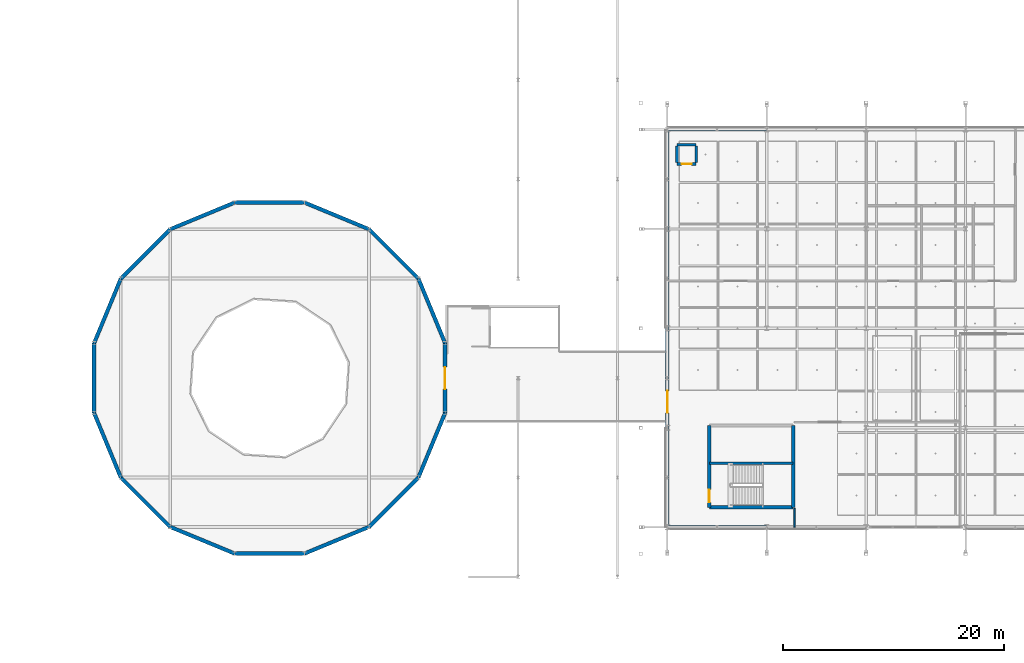
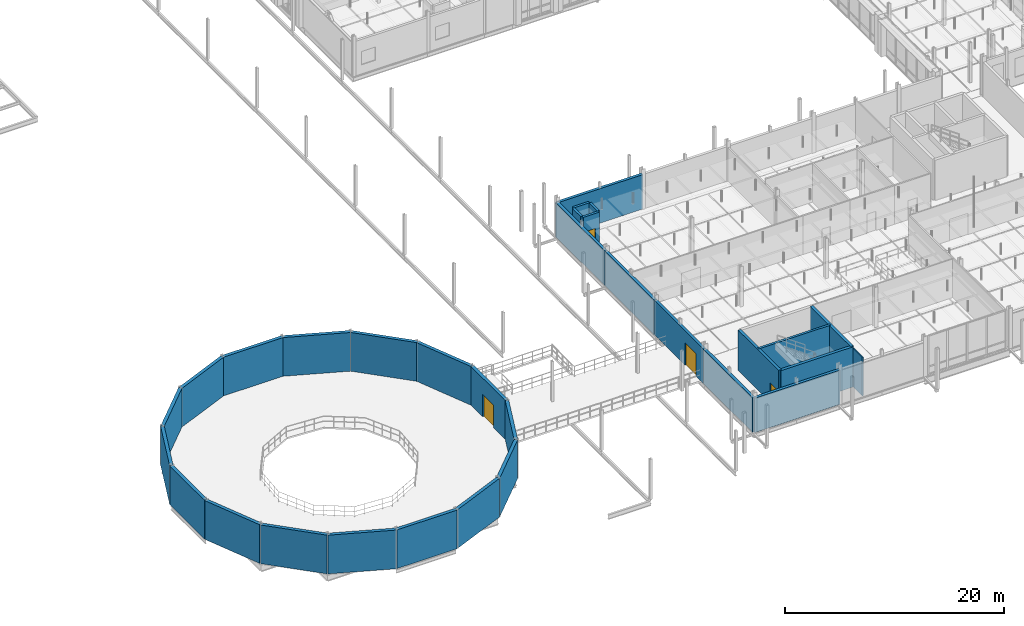
# One storey, part 68 of 130: 31 walls, 4 doors, 4 openings.
"""IFC4 building model written with IfcOpenShell, lengths in metres."""

from ifc_helpers import new_model, si_unit, direction, frame, frame_2d, origin, place, context, subcontext, project, spatial, rectangle, extrude, material, layer, layer_set, type_object, element, fill, save


model = new_model("IFC4")

# Units and contexts
model_context = context("Model", 3, precision=1e-05, world=origin(), true_north=direction((0.0, 1.0)))
body_context = subcontext(model_context, "Body", "Model", "MODEL_VIEW")
ifc_project = project(units=[si_unit("LENGTHUNIT", "METRE"), si_unit("AREAUNIT", "SQUARE_METRE"), si_unit("VOLUMEUNIT", "CUBIC_METRE"), si_unit("PLANEANGLEUNIT", "RADIAN"), si_unit("MASSUNIT", "GRAM", prefix="KILO"), si_unit("THERMODYNAMICTEMPERATUREUNIT", "KELVIN"), si_unit("POWERUNIT", "WATT")], contexts=[model_context])

# Site, building, storey
site_placement = place(None, origin())
site = spatial("IfcSite", under=ifc_project, at=site_placement, CompositionType="ELEMENT")
building_placement = place(site_placement, origin())
building = spatial("IfcBuilding", under=site, at=building_placement, Name="Tallowbark Science Centre", CompositionType="ELEMENT")
storey_placement = place(building_placement, frame((0.0, 0.0, 5.39990234375)))
storey = spatial("IfcBuildingStorey", under=building, at=storey_placement, Name="L01", CompositionType="ELEMENT", Elevation=5.39990234375)

# Wall, opening, door
ifc_material_1 = material(Name="Spotted Gum Glulam and Mineral-Wool Rainscreen Assembly", Category="wood")
ifc_layer_1 = layer(ifc_material_1, 0.280029296875)
ifc_layer_set_1 = layer_set([ifc_layer_1], Name="Spotted Gum Glulam and Mineral-Wool Rainscreen Assembly")
wall_type_1 = type_object("IfcWallType", Name="EWL-TIM-280", PredefinedType="STANDARD", material=ifc_layer_set_1)
wall_1_placement = place(storey_placement, frame((58.5, 22.5, 0.0), z_axis=(0.0, 0.0, 1.0), x_axis=(0.0, -1.0, 0.0)))
wall_1 = element("IfcWall", 1, at=wall_1_placement, inside=storey, type_object=wall_type_1, Name="Exterior Wall CUB-W-L01-1", PredefinedType="STANDARD", context=body_context, shape_type="SweptSolid", body=[
    extrude(rectangle(XDim=9.0, YDim=0.280029296875, at=frame_2d((4.5, 0.0))), origin(), (0.0, 0.0, 1.0), 3.84619140625),
])
opening_1_placement = place(wall_1_placement, frame((5.64990234375, 0.0, 0.0)))
opening_1 = element("IfcOpeningElement", 2, at=opening_1_placement, cuts=wall_1, Name="Opening ED-02", PredefinedType="OPENING", context=body_context, shape_type="SweptSolid", body=[
    extrude(rectangle(XDim=2.0, YDim=2.5, at=frame_2d((1.0, 1.25))), frame((0.0, 0.14990234375, 0.0), z_axis=(0.0, -1.0, 0.0), x_axis=(1.0, 0.0, 0.0)), (0.0, 0.0, 1.0), 0.300048828125),
])
ifc_material_2 = material(Name="Thermally Broken Glazed Aluminium Frame", Category="aluminium")
door_type_1 = type_object("IfcDoorType", Name="EDR-GLZ-200", OperationType="DOUBLE_DOOR_SINGLE_SWING", PredefinedType="DOOR", material=ifc_material_2)
door_1_placement = place(opening_1_placement, origin())
door_1 = element("IfcDoor", 3, at=door_1_placement, inside=storey, type_object=door_type_1, Name="Exterior Door EDR-L01-011", OperationType="DOUBLE_DOOR_SINGLE_SWING", OverallHeight=2.5, OverallWidth=2.0, PredefinedType="DOOR", context=body_context, shape_type="SweptSolid", body=[
    extrude(rectangle(XDim=2.0, YDim=2.5, at=frame_2d((1.0, 1.25))), frame((0.0, 0.02490234375, 0.0), z_axis=(0.0, -1.0, 0.0), x_axis=(1.0, 0.0, 0.0)), (0.0, 0.0, 1.0), 0.050048828125),
])
fill(opening_1, door_1)

# Walls
ifc_material_3 = material(Name="Spotted Gum Acoustic Cassette Wall Assembly", Category="wood")
ifc_layer_2 = layer(ifc_material_3, 0.294921875)
ifc_layer_set_2 = layer_set([ifc_layer_2], Name="Spotted Gum Acoustic Cassette Wall Assembly")
wall_type_2 = type_object("IfcWallType", Name="EWL-TIM-295", PredefinedType="STANDARD", material=ifc_layer_set_2)
for number, where, z_axis, x_axis, name in (
    (4, (58.5, 4.5, 0.0), (0.0, 0.0, 1.0), (1.0, 0.0, 0.0), "Exterior Wall CUB-S-L01-0"),
    (5, (67.5, 40.5, 0.0), (0.0, 0.0, 1.0), (-1.0, 0.0, 0.0), "Exterior Wall CUB-N-L01-0"),
    (6, (58.5, 13.5, 0.0), (0.0, 0.0, 1.0), (0.0, -1.0, 0.0), "Exterior Wall CUB-W-L01-0"),
    (7, (58.5, 31.5, 0.0), (0.0, 0.0, 1.0), (0.0, -1.0, 0.0), "Exterior Wall CUB-W-L01-2"),
    (8, (58.5, 40.5, 0.0), (0.0, 0.0, 1.0), (0.0, -1.0, 0.0), "Exterior Wall CUB-W-L01-3"),
):
    element("IfcWall", number, at=place(storey_placement, frame(where, z_axis=z_axis, x_axis=x_axis)), inside=storey, type_object=wall_type_2, Name=name, PredefinedType="STANDARD", context=body_context, shape_type="SweptSolid", body=[
        extrude(rectangle(XDim=9.0, YDim=0.294921875, at=frame_2d((4.5, 0.0))), origin(), (0.0, 0.0, 1.0), 3.84619140625),
    ])
ifc_material_4 = material(Name="132 mm Acoustic Laboratory Steel Stud Partition", Category="steel")
ifc_layer_3 = layer(ifc_material_4, 0.132080078125)
ifc_layer_set_3 = layer_set([ifc_layer_3], Name="132 mm Acoustic Laboratory Steel Stud Partition")
wall_type_3 = type_object("IfcWallType", Name="PTW-132", PredefinedType="PARTITIONING", material=ifc_layer_set_3)
wall_2_placement = place(storey_placement, frame((70.0, 4.5, 0.0), z_axis=(0.0, 0.0, 1.0), x_axis=(0.0, 1.0, 0.0)))
element("IfcWall", 9, at=wall_2_placement, inside=storey, type_object=wall_type_3, Name="Interior Partition PTW-L01-0158", PredefinedType="PARTITIONING", context=body_context, shape_type="SweptSolid", body=[
    extrude(rectangle(XDim=1.699951171875, YDim=0.132080078125, at=frame_2d((0.85009765625, 0.0))), origin(), (0.0, 0.0, 1.0), 4.320068359375),
])

# Wall, opening, door
ifc_material_5 = material(Name="Concrete Grade N40 (40 MPa)", Category="concrete")
ifc_layer_4 = layer(ifc_material_5, 0.300048828125)
ifc_layer_set_4 = layer_set([ifc_layer_4], Name="Concrete Grade N40 (40 MPa)")
wall_type_4 = type_object("IfcWallType", Name="WL-CORE-300", PredefinedType="SHEAR", material=ifc_layer_set_4)
wall_3_placement = place(storey_placement, frame((62.300048828125, 6.300048828125, 0.0), z_axis=(0.0, 0.0, 1.0), x_axis=(0.0, 1.0, 0.0)))
wall_3 = element("IfcWall", 10, at=wall_3_placement, inside=storey, type_object=wall_type_4, Name="Core C7 Shear Wall L01 W", PredefinedType="SHEAR", context=body_context, shape_type="SweptSolid", body=[
    extrude(rectangle(XDim=7.39990234375, YDim=0.300048828125, at=frame_2d((3.699951171875, 0.0))), origin(), (0.0, 0.0, 1.0), 4.5),
])
opening_2_placement = place(wall_3_placement, frame((0.449951171875, 0.0, 0.0)))
opening_2 = element("IfcOpeningElement", 11, at=opening_2_placement, cuts=wall_3, Name="Opening FD-01", PredefinedType="OPENING", context=body_context, shape_type="SweptSolid", body=[
    extrude(rectangle(XDim=1.14990234375, YDim=2.14990234375, at=frame_2d((0.574951171875, 1.074951171875))), frame((0.0, 0.16015625, 0.0), z_axis=(0.0, -1.0, 0.0), x_axis=(1.0, 0.0, 0.0)), (0.0, 0.0, 1.0), 0.320068359375),
])
ifc_material_6 = material(Name="Fire-Rated Pressed Steel Frame and Solid Core Leaf", Category="steel")
door_type_2 = type_object("IfcDoorType", Name="FDR-STR-115", OperationType="NOTDEFINED", PredefinedType="DOOR", material=ifc_material_6)
door_2_placement = place(opening_2_placement, origin())
door_2 = element("IfcDoor", 12, at=door_2_placement, inside=storey, type_object=door_type_2, Name="Stair ST-07 Fire Door L01", OperationType="SINGLE_SWING_LEFT", OverallHeight=2.14990234375, OverallWidth=1.14990234375, PredefinedType="DOOR", context=body_context, shape_type="SweptSolid", body=[
    extrude(rectangle(XDim=1.14990234375, YDim=2.14990234375, at=frame_2d((0.574951171875, 1.074951171875))), frame((0.0, 0.02490234375, 0.0), z_axis=(0.0, -1.0, 0.0), x_axis=(1.0, 0.0, 0.0)), (0.0, 0.0, 1.0), 0.050048828125),
])
fill(opening_2, door_2)

# Walls
wall_4_placement = place(storey_placement, frame((69.89990234375, 6.300048828125, 0.0), z_axis=(0.0, 0.0, 1.0), x_axis=(0.0, 1.0, 0.0)))
element("IfcWall", 13, at=wall_4_placement, inside=storey, type_object=wall_type_4, Name="Core C7 Shear Wall L01 E", PredefinedType="SHEAR", context=body_context, shape_type="SweptSolid", body=[
    extrude(rectangle(XDim=7.39990234375, YDim=0.300048828125, at=frame_2d((3.699951171875, 0.0))), origin(), (0.0, 0.0, 1.0), 4.5),
])
wall_5_placement = place(storey_placement, frame((62.300048828125, 6.300048828125, 0.0), z_axis=(0.0, 0.0, 1.0), x_axis=(1.0, 0.0, 0.0)))
element("IfcWall", 14, at=wall_5_placement, inside=storey, type_object=wall_type_4, Name="Core C7 Shear Wall L01 S", PredefinedType="SHEAR", context=body_context, shape_type="SweptSolid", body=[
    extrude(rectangle(XDim=7.599853515625, YDim=0.300048828125, at=frame_2d((3.7998046875, 0.0))), origin(), (0.0, 0.0, 1.0), 4.5),
])
ifc_layer_5 = layer(ifc_material_5, 0.340087890625)
ifc_layer_set_5 = layer_set([ifc_layer_5], Name="Concrete Grade N40 (40 MPa)")
wall_type_5 = type_object("IfcWallType", Name="WL-DRUM-340", PredefinedType="SHEAR", material=ifc_layer_set_5)
wall_6_placement = place(storey_placement, frame((38.388671875, 21.160400390625, 0.0), z_axis=(0.0, 0.0, 1.0), x_axis=(-0.382683814393, 0.92387937427, 0.0)))
element("IfcWall", 15, at=wall_6_placement, inside=storey, type_object=wall_type_5, Name="Planetarium Drum Wall L01 Chord 1", PredefinedType="SHEAR", context=body_context, shape_type="SweptSolid", body=[
    extrude(rectangle(XDim=6.321044921875, YDim=0.340087890625, at=frame_2d((3.16064453125, 0.0))), origin(), (0.0, 0.0, 1.0), 4.320068359375),
])
wall_7_placement = place(storey_placement, frame((35.9697265625, 27.000244140625, 0.0), z_axis=(0.0, 0.0, 1.0), x_axis=(-0.707106781187, 0.707106781187, 0.0)))
element("IfcWall", 16, at=wall_7_placement, inside=storey, type_object=wall_type_5, Name="Planetarium Drum Wall L01 Chord 2", PredefinedType="SHEAR", context=body_context, shape_type="SweptSolid", body=[
    extrude(rectangle(XDim=6.32080078125, YDim=0.340087890625, at=frame_2d((3.160400390625, 0.0))), origin(), (0.0, 0.0, 1.0), 4.320068359375),
])
wall_8_placement = place(storey_placement, frame((31.500244140625, 31.4697265625, 0.0), z_axis=(0.0, 0.0, 1.0), x_axis=(-0.92387937427, 0.382683814393, 0.0)))
element("IfcWall", 17, at=wall_8_placement, inside=storey, type_object=wall_type_5, Name="Planetarium Drum Wall L01 Chord 3", PredefinedType="SHEAR", context=body_context, shape_type="SweptSolid", body=[
    extrude(rectangle(XDim=6.321044921875, YDim=0.340087890625, at=frame_2d((3.16064453125, 0.0))), origin(), (0.0, 0.0, 1.0), 4.320068359375),
])
wall_9_placement = place(storey_placement, frame((25.660400390625, 33.888671875, 0.0), z_axis=(0.0, 0.0, 1.0), x_axis=(-1.0, 0.0, 0.0)))
element("IfcWall", 18, at=wall_9_placement, inside=storey, type_object=wall_type_5, Name="Planetarium Drum Wall L01 Chord 4", PredefinedType="SHEAR", context=body_context, shape_type="SweptSolid", body=[
    extrude(rectangle(XDim=6.32080078125, YDim=0.340087890625, at=frame_2d((3.160400390625, 0.0))), origin(), (0.0, 0.0, 1.0), 4.320068359375),
])
wall_10_placement = place(storey_placement, frame((19.339599609375, 33.888671875, 0.0), z_axis=(0.0, 0.0, 1.0), x_axis=(-0.92387937427, -0.382683814393, 0.0)))
element("IfcWall", 19, at=wall_10_placement, inside=storey, type_object=wall_type_5, Name="Planetarium Drum Wall L01 Chord 5", PredefinedType="SHEAR", context=body_context, shape_type="SweptSolid", body=[
    extrude(rectangle(XDim=6.321044921875, YDim=0.340087890625, at=frame_2d((3.16064453125, 0.0))), origin(), (0.0, 0.0, 1.0), 4.320068359375),
])
wall_11_placement = place(storey_placement, frame((13.499755859375, 31.4697265625, 0.0), z_axis=(0.0, 0.0, 1.0), x_axis=(-0.707106781187, -0.707106781187, 0.0)))
element("IfcWall", 20, at=wall_11_placement, inside=storey, type_object=wall_type_5, Name="Planetarium Drum Wall L01 Chord 6", PredefinedType="SHEAR", context=body_context, shape_type="SweptSolid", body=[
    extrude(rectangle(XDim=6.32080078125, YDim=0.340087890625, at=frame_2d((3.160400390625, 0.0))), origin(), (0.0, 0.0, 1.0), 4.320068359375),
])
wall_12_placement = place(storey_placement, frame((9.0302734375, 27.000244140625, 0.0), z_axis=(0.0, 0.0, 1.0), x_axis=(-0.382683814393, -0.92387937427, 0.0)))
element("IfcWall", 21, at=wall_12_placement, inside=storey, type_object=wall_type_5, Name="Planetarium Drum Wall L01 Chord 7", PredefinedType="SHEAR", context=body_context, shape_type="SweptSolid", body=[
    extrude(rectangle(XDim=6.321044921875, YDim=0.340087890625, at=frame_2d((3.16064453125, 0.0))), origin(), (0.0, 0.0, 1.0), 4.320068359375),
])
wall_13_placement = place(storey_placement, frame((6.611328125, 21.160400390625, 0.0), z_axis=(0.0, 0.0, 1.0), x_axis=(0.0, -1.0, 0.0)))
element("IfcWall", 22, at=wall_13_placement, inside=storey, type_object=wall_type_5, Name="Planetarium Drum Wall L01 Chord 8", PredefinedType="SHEAR", context=body_context, shape_type="SweptSolid", body=[
    extrude(rectangle(XDim=6.32080078125, YDim=0.340087890625, at=frame_2d((3.160400390625, 0.0))), origin(), (0.0, 0.0, 1.0), 4.320068359375),
])
wall_14_placement = place(storey_placement, frame((6.611328125, 14.839599609375, 0.0), z_axis=(0.0, 0.0, 1.0), x_axis=(0.382683814393, -0.92387937427, 0.0)))
element("IfcWall", 23, at=wall_14_placement, inside=storey, type_object=wall_type_5, Name="Planetarium Drum Wall L01 Chord 9", PredefinedType="SHEAR", context=body_context, shape_type="SweptSolid", body=[
    extrude(rectangle(XDim=6.321044921875, YDim=0.340087890625, at=frame_2d((3.16064453125, 0.0))), origin(), (0.0, 0.0, 1.0), 4.320068359375),
])
wall_15_placement = place(storey_placement, frame((9.0302734375, 8.999755859375, 0.0), z_axis=(0.0, 0.0, 1.0), x_axis=(0.707106781187, -0.707106781187, 0.0)))
element("IfcWall", 24, at=wall_15_placement, inside=storey, type_object=wall_type_5, Name="Planetarium Drum Wall L01 Chord 10", PredefinedType="SHEAR", context=body_context, shape_type="SweptSolid", body=[
    extrude(rectangle(XDim=6.32080078125, YDim=0.340087890625, at=frame_2d((3.160400390625, 0.0))), origin(), (0.0, 0.0, 1.0), 4.320068359375),
])
wall_16_placement = place(storey_placement, frame((13.499755859375, 4.5302734375, 0.0), z_axis=(0.0, 0.0, 1.0), x_axis=(0.92387937427, -0.382683814393, 0.0)))
element("IfcWall", 25, at=wall_16_placement, inside=storey, type_object=wall_type_5, Name="Planetarium Drum Wall L01 Chord 11", PredefinedType="SHEAR", context=body_context, shape_type="SweptSolid", body=[
    extrude(rectangle(XDim=6.321044921875, YDim=0.340087890625, at=frame_2d((3.16064453125, 0.0))), origin(), (0.0, 0.0, 1.0), 4.320068359375),
])
wall_17_placement = place(storey_placement, frame((19.339599609375, 2.111328125, 0.0), z_axis=(0.0, 0.0, 1.0), x_axis=(1.0, 0.0, 0.0)))
element("IfcWall", 26, at=wall_17_placement, inside=storey, type_object=wall_type_5, Name="Planetarium Drum Wall L01 Chord 12", PredefinedType="SHEAR", context=body_context, shape_type="SweptSolid", body=[
    extrude(rectangle(XDim=6.32080078125, YDim=0.340087890625, at=frame_2d((3.160400390625, 0.0))), origin(), (0.0, 0.0, 1.0), 4.320068359375),
])
wall_18_placement = place(storey_placement, frame((25.660400390625, 2.111328125, 0.0), z_axis=(0.0, 0.0, 1.0), x_axis=(0.92387937427, 0.382683814393, 0.0)))
element("IfcWall", 27, at=wall_18_placement, inside=storey, type_object=wall_type_5, Name="Planetarium Drum Wall L01 Chord 13", PredefinedType="SHEAR", context=body_context, shape_type="SweptSolid", body=[
    extrude(rectangle(XDim=6.321044921875, YDim=0.340087890625, at=frame_2d((3.16064453125, 0.0))), origin(), (0.0, 0.0, 1.0), 4.320068359375),
])
wall_19_placement = place(storey_placement, frame((31.500244140625, 4.5302734375, 0.0), z_axis=(0.0, 0.0, 1.0), x_axis=(0.707106781187, 0.707106781187, 0.0)))
element("IfcWall", 28, at=wall_19_placement, inside=storey, type_object=wall_type_5, Name="Planetarium Drum Wall L01 Chord 14", PredefinedType="SHEAR", context=body_context, shape_type="SweptSolid", body=[
    extrude(rectangle(XDim=6.32080078125, YDim=0.340087890625, at=frame_2d((3.160400390625, 0.0))), origin(), (0.0, 0.0, 1.0), 4.320068359375),
])
wall_20_placement = place(storey_placement, frame((35.9697265625, 8.999755859375, 0.0), z_axis=(0.0, 0.0, 1.0), x_axis=(0.382683814393, 0.92387937427, 0.0)))
element("IfcWall", 29, at=wall_20_placement, inside=storey, type_object=wall_type_5, Name="Planetarium Drum Wall L01 Chord 15", PredefinedType="SHEAR", context=body_context, shape_type="SweptSolid", body=[
    extrude(rectangle(XDim=6.321044921875, YDim=0.340087890625, at=frame_2d((3.16064453125, 0.0))), origin(), (0.0, 0.0, 1.0), 4.320068359375),
])

# Wall, opening, door
wall_21_placement = place(storey_placement, frame((38.388671875, 14.839599609375, 0.0), z_axis=(0.0, 0.0, 1.0), x_axis=(0.0, 1.0, 0.0)))
wall_21 = element("IfcWall", 30, at=wall_21_placement, inside=storey, type_object=wall_type_5, Name="Planetarium Drum Wall L01 Chord 16", PredefinedType="SHEAR", context=body_context, shape_type="SweptSolid", body=[
    extrude(rectangle(XDim=6.32080078125, YDim=0.340087890625, at=frame_2d((3.160400390625, 0.0))), origin(), (0.0, 0.0, 1.0), 4.320068359375),
])
opening_3_placement = place(wall_21_placement, frame((2.160400390625, 0.0, 0.0)))
opening_3 = element("IfcOpeningElement", 31, at=opening_3_placement, cuts=wall_21, Name="Opening ED-02", PredefinedType="OPENING", context=body_context, shape_type="SweptSolid", body=[
    extrude(rectangle(XDim=2.0, YDim=2.5, at=frame_2d((1.0, 1.25))), frame((0.0, 0.18017578125, 0.0), z_axis=(0.0, -1.0, 0.0), x_axis=(1.0, 0.0, 0.0)), (0.0, 0.0, 1.0), 0.360107421875),
])
door_3_placement = place(opening_3_placement, origin())
door_3 = element("IfcDoor", 32, at=door_3_placement, inside=storey, type_object=door_type_1, Name="Planetarium Concourse Bridge Door L01", OperationType="DOUBLE_DOOR_SINGLE_SWING", OverallHeight=2.5, OverallWidth=2.0, PredefinedType="DOOR", context=body_context, shape_type="SweptSolid", body=[
    extrude(rectangle(XDim=2.0, YDim=2.5, at=frame_2d((1.0, 1.25))), frame((0.0, 0.02490234375, 0.0), z_axis=(0.0, -1.0, 0.0), x_axis=(1.0, 0.0, 0.0)), (0.0, 0.0, 1.0), 0.050048828125),
])
fill(opening_3, door_3)

# Wall
ifc_layer_6 = layer(ifc_material_5, 0.25)
ifc_layer_set_6 = layer_set([ifc_layer_6], Name="Concrete Grade N40 (40 MPa)")
wall_type_6 = type_object("IfcWallType", Name="WL-SHAFT-250", PredefinedType="SHEAR", material=ifc_layer_set_6)
wall_22_placement = place(storey_placement, frame((62.300048828125, 10.294921875, 0.0), z_axis=(0.0, 0.0, 1.0), x_axis=(1.0, 0.0, 0.0)))
element("IfcWall", 33, at=wall_22_placement, inside=storey, type_object=wall_type_6, Name="Core C7 Shear Wall L01 MID", PredefinedType="SHEAR", context=body_context, shape_type="SweptSolid", body=[
    extrude(rectangle(XDim=7.599853515625, YDim=0.25, at=frame_2d((3.7998046875, 0.0))), origin(), (0.0, 0.0, 1.0), 4.5),
])

# Wall, opening, door
wall_23_placement = place(storey_placement, frame((59.39990234375, 37.375, 0.0), z_axis=(0.0, 0.0, 1.0), x_axis=(1.0, 0.0, 0.0)))
wall_23 = element("IfcWall", 34, at=wall_23_placement, inside=storey, type_object=wall_type_6, Name="Service Riser Shaft Wall RSR-CUB-W L01 S", PredefinedType="SHEAR", context=body_context, shape_type="SweptSolid", body=[
    extrude(rectangle(XDim=1.7001953125, YDim=0.25, at=frame_2d((0.85009765625, 0.0))), origin(), (0.0, 0.0, 1.0), 3.77001953125),
])
opening_4_placement = place(wall_23_placement, frame((0.39990234375, 0.0, 0.0)))
opening_4 = element("IfcOpeningElement", 35, at=opening_4_placement, cuts=wall_23, Name="Opening FD-05", PredefinedType="OPENING", context=body_context, shape_type="SweptSolid", body=[
    extrude(rectangle(XDim=0.89990234375, YDim=2.10009765625, at=frame_2d((0.449951171875, 1.050048828125))), frame((0.0, 0.135009765625, 0.0), z_axis=(0.0, -1.0, 0.0), x_axis=(1.0, 0.0, 0.0)), (0.0, 0.0, 1.0), 0.27001953125),
])
ifc_material_7 = material(Name="Fire-Rated Riser Access Door")
door_type_3 = type_object("IfcDoorType", Name="FDR-RIS-090", OperationType="NOTDEFINED", PredefinedType="DOOR", material=ifc_material_7)
door_4_placement = place(opening_4_placement, origin())
door_4 = element("IfcDoor", 36, at=door_4_placement, inside=storey, type_object=door_type_3, Name="Service Riser Access Door 2", OperationType="SINGLE_SWING_RIGHT", OverallHeight=2.10009765625, OverallWidth=0.89990234375, PredefinedType="DOOR", context=body_context, shape_type="SweptSolid", body=[
    extrude(rectangle(XDim=0.89990234375, YDim=2.10009765625, at=frame_2d((0.449951171875, 1.050048828125))), frame((0.0, 0.02490234375, 0.0), z_axis=(0.0, -1.0, 0.0), x_axis=(1.0, 0.0, 0.0)), (0.0, 0.0, 1.0), 0.050048828125),
])
fill(opening_4, door_4)

# Walls
wall_24_placement = place(storey_placement, frame((59.39990234375, 39.125, 0.0), z_axis=(0.0, 0.0, 1.0), x_axis=(1.0, 0.0, 0.0)))
element("IfcWall", 37, at=wall_24_placement, inside=storey, type_object=wall_type_6, Name="Service Riser Shaft Wall RSR-CUB-W L01 N", PredefinedType="SHEAR", context=body_context, shape_type="SweptSolid", body=[
    extrude(rectangle(XDim=1.7001953125, YDim=0.25, at=frame_2d((0.85009765625, 0.0))), origin(), (0.0, 0.0, 1.0), 3.77001953125),
])
for number, where, z_axis, x_axis, name in (
    (38, (59.375, 37.5, 0.0), (0.0, 0.0, 1.0), (0.0, 1.0, 0.0), "Service Riser Shaft Wall RSR-CUB-W L01 W"),
    (39, (61.125, 37.5, 0.0), (0.0, 0.0, 1.0), (0.0, 1.0, 0.0), "Service Riser Shaft Wall RSR-CUB-W L01 E"),
):
    element("IfcWall", number, at=place(storey_placement, frame(where, z_axis=z_axis, x_axis=x_axis)), inside=storey, type_object=wall_type_6, Name=name, PredefinedType="SHEAR", context=body_context, shape_type="SweptSolid", body=[
        extrude(rectangle(XDim=1.5, YDim=0.25, at=frame_2d((0.75, 0.0))), origin(), (0.0, 0.0, 1.0), 3.77001953125),
    ])

save(model, "model.ifc")
